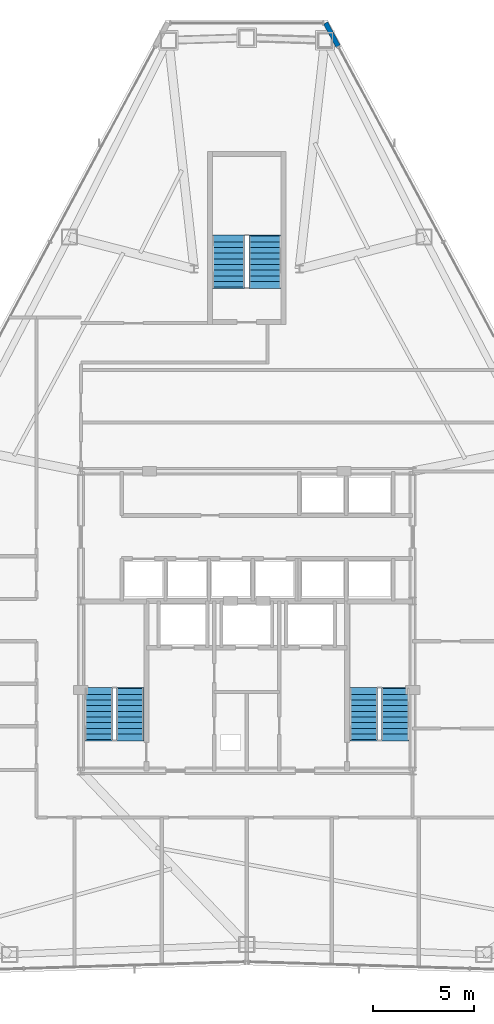
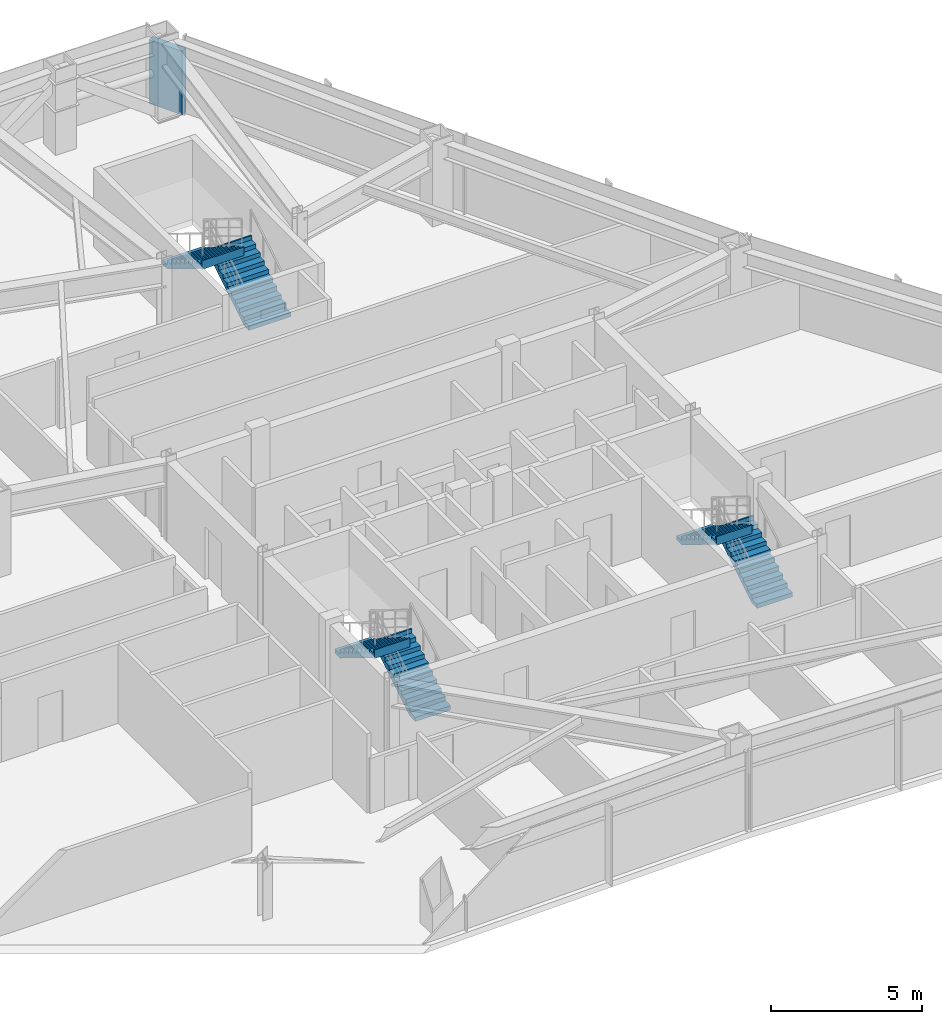
# One storey, part 12 of 13: 6 stair flights, 1 wall, 3 elements without a shape of their own.
"""IFC4 building model written with IfcOpenShell, lengths in metres."""

from ifc_helpers import new_model, si_unit, direction, frame, frame_2d, origin, place, context, subcontext, project, spatial, polyline, rectangle, outline, extrude, material, layer, layer_set, type_object, element, aggregate, save


model = new_model("IFC4")

# Units and contexts
model_context = context("Model", 3, precision=1e-05, world=origin(), true_north=direction((0.0, 1.0)))
body_context = subcontext(model_context, "Body", "Model", "MODEL_VIEW")
ifc_project = project(units=[si_unit("LENGTHUNIT", "METRE"), si_unit("AREAUNIT", "SQUARE_METRE"), si_unit("VOLUMEUNIT", "CUBIC_METRE"), si_unit("PLANEANGLEUNIT", "RADIAN"), si_unit("MASSUNIT", "GRAM", prefix="KILO")], contexts=[model_context])

# Site, building, storey
site_placement = place(None, origin())
site = spatial("IfcSite", under=ifc_project, at=site_placement, CompositionType="ELEMENT")
building_placement = place(site_placement, origin())
building = spatial("IfcBuilding", under=site, at=building_placement, Name="Varakhsha Concourse Tower", CompositionType="ELEMENT")
storey_placement = place(building_placement, frame((0.0, 0.0, 168.89990234375)))
storey = spatial("IfcBuildingStorey", under=building, at=storey_placement, Name="L48", CompositionType="ELEMENT", Elevation=168.89990234375)

# Wall
ifc_material = material(Name="Concrete fc 45 MPa", Category="concrete")
ifc_layer = layer(ifc_material, 0.239990234375, Name="WL-EXT-CRN-240")
ifc_layer_set = layer_set([ifc_layer], Name="Concrete fc 45 MPa")
wall_type = type_object("IfcWallType", Name="WL-EXT-CRN-240", PredefinedType="SHEAR", material=ifc_layer_set)
wall_placement = place(storey_placement, frame((44.515869140625, 52.200439453125, 0.0), z_axis=(0.0, 0.0, 1.0), x_axis=(-0.473296093107, 0.880903404608, 0.0)))
element("IfcWall", 1, at=wall_placement, inside=storey, type_object=wall_type, Name="L48 Wind-Corner Shoulder Wall F9", PredefinedType="SHEAR", context=body_context, shape_type="SweptSolid", body=[
    extrude(rectangle(XDim=1.304443359375, YDim=0.239990234375, at=frame_2d((0.65234375, 0.0))), origin(), (0.0, 0.0, 1.0), 2.5830078125),
])

# Stair, stair flights
stair_type_1 = type_object("IfcStairType", Name="ST-DOGLEG-1360", PredefinedType="HALF_TURN_STAIR", material=ifc_material)
stair_1_placement = place(storey_placement, origin())
stair_1 = element("IfcStair", 2, at=stair_1_placement, inside=storey, type_object=stair_type_1, Name="L48 Protected Exit Stair ST1", PredefinedType="HALF_TURN_STAIR")
stair_flight_type_1 = type_object("IfcStairFlightType", Name="STF-1360-R1725", PredefinedType="STRAIGHT", material=ifc_material)
stair_flight_1_placement = place(storey_placement, frame((34.239990234375, 17.93994140625, 0.0), z_axis=(0.0, 0.0, 1.0), x_axis=(0.0, 1.0, 0.0)))
stair_flight_1 = element("IfcStairFlight", 3, at=stair_flight_1_placement, type_object=stair_flight_type_1, Name="ST1 flight 1", NumberOfRisers=10, NumberOfTreads=9, PredefinedType="STRAIGHT", RiserHeight=0.1725, TreadLength=0.28, context=body_context, shape_type="SweptSolid", body=[
    extrude(outline(polyline([(-0.06005859375, 0.0), (-0.06005859375, 0.172607421875), (0.0, 0.172607421875), (0.280029296875, 0.172607421875), (0.280029296875, 0.344970703125), (0.56005859375, 0.344970703125), (0.56005859375, 0.517578125), (0.840087890625, 0.517578125), (0.840087890625, 0.68994140625), (1.1201171875, 0.68994140625), (1.1201171875, 0.862548828125), (1.39990234375, 0.862548828125), (1.39990234375, 1.034912109375), (1.679931640625, 1.034912109375), (1.679931640625, 1.20751953125), (1.9599609375, 1.20751953125), (1.9599609375, 1.3798828125), (2.239990234375, 1.3798828125), (2.239990234375, 1.552490234375), (2.52001953125, 1.552490234375), (2.52001953125, 1.72509765625), (2.580078125, 1.72509765625), (2.580078125, 1.37646484375), (2.52001953125, 1.37646484375), (0.285888671875, 0.0), (-0.06005859375, 0.0)])), frame((0.0, 0.68017578125, 0.0), z_axis=(0.0, -1.0, 0.0), x_axis=(1.0, 0.0, 0.0)), (0.0, 0.0, 1.0), 1.360107421875),
])
stair_flight_2_placement = place(storey_placement, frame((32.679931640625, 20.4599609375, 1.72509765625), z_axis=(0.0, 0.0, 1.0), x_axis=(0.0, -1.0, 0.0)))
stair_flight_2 = element("IfcStairFlight", 4, at=stair_flight_2_placement, type_object=stair_flight_type_1, Name="ST1 flight 2", NumberOfRisers=10, NumberOfTreads=9, PredefinedType="STRAIGHT", RiserHeight=0.1725, TreadLength=0.28, context=body_context, shape_type="SweptSolid", body=[
    extrude(outline(polyline([(-0.06005859375, 0.0), (-0.06005859375, 0.172607421875), (0.0, 0.172607421875), (0.280029296875, 0.172607421875), (0.280029296875, 0.344970703125), (0.56005859375, 0.344970703125), (0.56005859375, 0.517578125), (0.840087890625, 0.517578125), (0.840087890625, 0.68994140625), (1.1201171875, 0.68994140625), (1.1201171875, 0.862548828125), (1.39990234375, 0.862548828125), (1.39990234375, 1.034912109375), (1.679931640625, 1.034912109375), (1.679931640625, 1.20751953125), (1.9599609375, 1.20751953125), (1.9599609375, 1.3798828125), (2.239990234375, 1.3798828125), (2.239990234375, 1.552490234375), (2.52001953125, 1.552490234375), (2.52001953125, 1.72509765625), (2.580078125, 1.72509765625), (2.580078125, 1.37646484375), (2.52001953125, 1.37646484375), (0.285888671875, 0.0), (-0.06005859375, 0.0)])), frame((0.0, 0.68017578125, 0.0), z_axis=(0.0, -1.0, 0.0), x_axis=(1.0, 0.0, 0.0)), (0.0, 0.0, 1.0), 1.360107421875),
])
aggregate(stair_1, [stair_flight_1, stair_flight_2])

stair_2_placement = place(storey_placement, origin())
stair_2 = element("IfcStair", 5, at=stair_2_placement, inside=storey, type_object=stair_type_1, Name="L48 Protected Exit Stair ST2", PredefinedType="HALF_TURN_STAIR")
stair_flight_3_placement = place(storey_placement, frame((47.340087890625, 17.93994140625, 0.0), z_axis=(0.0, 0.0, 1.0), x_axis=(0.0, 1.0, 0.0)))
stair_flight_3 = element("IfcStairFlight", 6, at=stair_flight_3_placement, type_object=stair_flight_type_1, Name="ST2 flight 1", NumberOfRisers=10, NumberOfTreads=9, PredefinedType="STRAIGHT", RiserHeight=0.1725, TreadLength=0.28, context=body_context, shape_type="SweptSolid", body=[
    extrude(outline(polyline([(-0.06005859375, 0.0), (-0.06005859375, 0.172607421875), (0.0, 0.172607421875), (0.280029296875, 0.172607421875), (0.280029296875, 0.344970703125), (0.56005859375, 0.344970703125), (0.56005859375, 0.517578125), (0.840087890625, 0.517578125), (0.840087890625, 0.68994140625), (1.1201171875, 0.68994140625), (1.1201171875, 0.862548828125), (1.39990234375, 0.862548828125), (1.39990234375, 1.034912109375), (1.679931640625, 1.034912109375), (1.679931640625, 1.20751953125), (1.9599609375, 1.20751953125), (1.9599609375, 1.3798828125), (2.239990234375, 1.3798828125), (2.239990234375, 1.552490234375), (2.52001953125, 1.552490234375), (2.52001953125, 1.72509765625), (2.580078125, 1.72509765625), (2.580078125, 1.37646484375), (2.52001953125, 1.37646484375), (0.285888671875, 0.0), (-0.06005859375, 0.0)])), frame((0.0, 0.68017578125, 0.0), z_axis=(0.0, -1.0, 0.0), x_axis=(1.0, 0.0, 0.0)), (0.0, 0.0, 1.0), 1.360107421875),
])
stair_flight_4_placement = place(storey_placement, frame((45.780029296875, 20.4599609375, 1.72509765625), z_axis=(0.0, 0.0, 1.0), x_axis=(0.0, -1.0, 0.0)))
stair_flight_4 = element("IfcStairFlight", 7, at=stair_flight_4_placement, type_object=stair_flight_type_1, Name="ST2 flight 2", NumberOfRisers=10, NumberOfTreads=9, PredefinedType="STRAIGHT", RiserHeight=0.1725, TreadLength=0.28, context=body_context, shape_type="SweptSolid", body=[
    extrude(outline(polyline([(-0.06005859375, 0.0), (-0.06005859375, 0.172607421875), (0.0, 0.172607421875), (0.280029296875, 0.172607421875), (0.280029296875, 0.344970703125), (0.56005859375, 0.344970703125), (0.56005859375, 0.517578125), (0.840087890625, 0.517578125), (0.840087890625, 0.68994140625), (1.1201171875, 0.68994140625), (1.1201171875, 0.862548828125), (1.39990234375, 0.862548828125), (1.39990234375, 1.034912109375), (1.679931640625, 1.034912109375), (1.679931640625, 1.20751953125), (1.9599609375, 1.20751953125), (1.9599609375, 1.3798828125), (2.239990234375, 1.3798828125), (2.239990234375, 1.552490234375), (2.52001953125, 1.552490234375), (2.52001953125, 1.72509765625), (2.580078125, 1.72509765625), (2.580078125, 1.37646484375), (2.52001953125, 1.37646484375), (0.285888671875, 0.0), (-0.06005859375, 0.0)])), frame((0.0, 0.68017578125, 0.0), z_axis=(0.0, -1.0, 0.0), x_axis=(1.0, 0.0, 0.0)), (0.0, 0.0, 1.0), 1.360107421875),
])
aggregate(stair_2, [stair_flight_3, stair_flight_4])

stair_type_2 = type_object("IfcStairType", Name="ST-DOGLEG-1600", PredefinedType="HALF_TURN_STAIR", material=ifc_material)
stair_3_placement = place(storey_placement, origin())
stair_3 = element("IfcStair", 8, at=stair_3_placement, inside=storey, type_object=stair_type_2, Name="L48 Protected Exit Stair ST5", PredefinedType="HALF_TURN_STAIR")
stair_flight_type_2 = type_object("IfcStairFlightType", Name="STF-1600-R1725", PredefinedType="STRAIGHT", material=ifc_material)
stair_flight_5_placement = place(storey_placement, frame((40.89990234375, 40.300048828125, 0.0), z_axis=(0.0, 0.0, 1.0), x_axis=(0.0, 1.0, 0.0)))
stair_flight_5 = element("IfcStairFlight", 9, at=stair_flight_5_placement, type_object=stair_flight_type_2, Name="ST5 flight 1", NumberOfRisers=10, NumberOfTreads=9, PredefinedType="STRAIGHT", RiserHeight=0.1725, TreadLength=0.28, context=body_context, shape_type="SweptSolid", body=[
    extrude(outline(polyline([(-0.06005859375, 0.0), (-0.06005859375, 0.172607421875), (0.0, 0.172607421875), (0.280029296875, 0.172607421875), (0.280029296875, 0.344970703125), (0.56005859375, 0.344970703125), (0.56005859375, 0.517578125), (0.840087890625, 0.517578125), (0.840087890625, 0.68994140625), (1.1201171875, 0.68994140625), (1.1201171875, 0.862548828125), (1.39990234375, 0.862548828125), (1.39990234375, 1.034912109375), (1.679931640625, 1.034912109375), (1.679931640625, 1.20751953125), (1.9599609375, 1.20751953125), (1.9599609375, 1.3798828125), (2.239990234375, 1.3798828125), (2.239990234375, 1.552490234375), (2.52001953125, 1.552490234375), (2.52001953125, 1.72509765625), (2.580078125, 1.72509765625), (2.580078125, 1.37646484375), (2.52001953125, 1.37646484375), (0.285888671875, 0.0), (-0.06005859375, 0.0)])), frame((0.0, 0.800048828125, 0.0), z_axis=(0.0, -1.0, 0.0), x_axis=(1.0, 0.0, 0.0)), (0.0, 0.0, 1.0), 1.60009765625),
])
stair_flight_6_placement = place(storey_placement, frame((39.10009765625, 42.820068359375, 1.72509765625), z_axis=(0.0, 0.0, 1.0), x_axis=(0.0, -1.0, 0.0)))
stair_flight_6 = element("IfcStairFlight", 10, at=stair_flight_6_placement, type_object=stair_flight_type_2, Name="ST5 flight 2", NumberOfRisers=10, NumberOfTreads=9, PredefinedType="STRAIGHT", RiserHeight=0.1725, TreadLength=0.28, context=body_context, shape_type="SweptSolid", body=[
    extrude(outline(polyline([(-0.06005859375, 0.0), (-0.06005859375, 0.172607421875), (0.0, 0.172607421875), (0.280029296875, 0.172607421875), (0.280029296875, 0.344970703125), (0.56005859375, 0.344970703125), (0.56005859375, 0.517578125), (0.840087890625, 0.517578125), (0.840087890625, 0.68994140625), (1.1201171875, 0.68994140625), (1.1201171875, 0.862548828125), (1.39990234375, 0.862548828125), (1.39990234375, 1.034912109375), (1.679931640625, 1.034912109375), (1.679931640625, 1.20751953125), (1.9599609375, 1.20751953125), (1.9599609375, 1.3798828125), (2.239990234375, 1.3798828125), (2.239990234375, 1.552490234375), (2.52001953125, 1.552490234375), (2.52001953125, 1.72509765625), (2.580078125, 1.72509765625), (2.580078125, 1.37646484375), (2.52001953125, 1.37646484375), (0.285888671875, 0.0), (-0.06005859375, 0.0)])), frame((0.0, 0.800048828125, 0.0), z_axis=(0.0, -1.0, 0.0), x_axis=(1.0, 0.0, 0.0)), (0.0, 0.0, 1.0), 1.60009765625),
])
aggregate(stair_3, [stair_flight_5, stair_flight_6])

save(model, "model.ifc")
